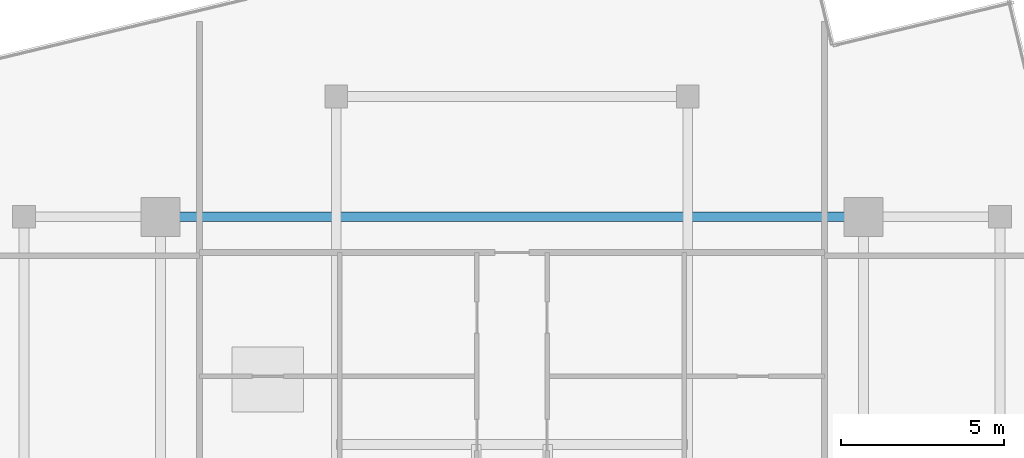
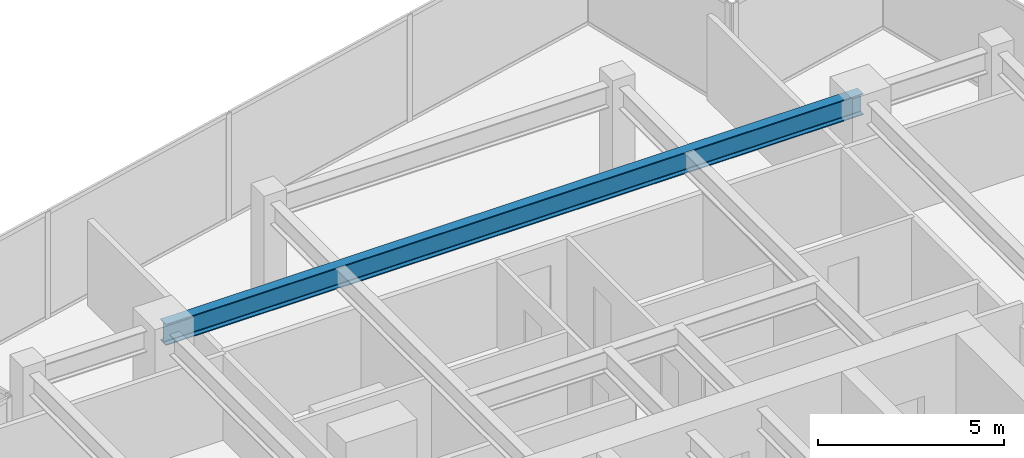
# One storey, part 13 of 19: 1 beam.
"""IFC4 building model written with IfcOpenShell, lengths in metres."""

from ifc_helpers import new_model, si_unit, direction, frame, origin, origin_2d, place, context, subcontext, project, spatial, i_section, extrude, source, transform, mapped, material, material_profile, profile_set, type_object, type_shapes, element, save


model = new_model("IFC4")

# Units and contexts
model_context = context("Model", 3, precision=1e-05, world=origin(), true_north=direction((0.0, 1.0)))
body_context = subcontext(model_context, "Body", "Model", "MODEL_VIEW")
ifc_project = project(units=[si_unit("LENGTHUNIT", "METRE"), si_unit("AREAUNIT", "SQUARE_METRE"), si_unit("VOLUMEUNIT", "CUBIC_METRE"), si_unit("PLANEANGLEUNIT", "RADIAN"), si_unit("MASSUNIT", "GRAM", prefix="KILO")], contexts=[model_context])

# Site, building, storey
site_placement = place(None, origin())
site = spatial("IfcSite", under=ifc_project, at=site_placement, CompositionType="ELEMENT")
building_placement = place(site_placement, origin())
building = spatial("IfcBuilding", under=site, at=building_placement, Name="Krantzveldt Concourse Tower", CompositionType="ELEMENT")
storey_placement = place(building_placement, frame((0.0, 0.0, 363.25)))
storey = spatial("IfcBuildingStorey", under=building, at=storey_placement, Name="L89", CompositionType="ELEMENT", Elevation=363.25)

# Beam
ifc_material = material(Name="Steel S355J2", Category="steel")
ifc_material_profile = material_profile(ifc_material, i_section(OverallWidth=0.300048828125, OverallDepth=0.699951171875, WebThickness=0.01708984375, FlangeThickness=0.031982421875, FilletRadius=0.027099609375, at=origin_2d()), Name="Steel S355J2", Category="steel")
ifc_profile_set = profile_set([ifc_material_profile], Name="Steel S355J2 - HEB 700")
beam_type = type_object("IfcBeamType", Name="BM-B-HEB700", PredefinedType="BEAM", material=ifc_profile_set)
shared_shape = source(origin(), body_context, "Body", "SweptSolid", [
    extrude(i_section(OverallWidth=0.300048828125, OverallDepth=0.699951171875, WebThickness=0.01708984375, FlangeThickness=0.031982421875, FilletRadius=0.027099609375, at=origin_2d()), origin(), (0.0, 0.0, 1.0), 21.60009765625),
])
type_shapes(beam_type, [shared_shape])
beam_placement = place(storey_placement, frame((25.199951171875, 37.5, 3.14990234375), z_axis=(1.0, 0.0, 0.0), x_axis=(0.0, 1.0, 0.0)))
element("IfcBeam", 1, at=beam_placement, inside=storey, type_object=beam_type, Name="L89 Crown Girder CBG-89-MN", PredefinedType="BEAM", context=body_context, shape_type="MappedRepresentation", body=[
    mapped(shared_shape, transform((0.0, 0.0, 0.0), x_axis=(1.0, 0.0, 0.0), y_axis=(0.0, 1.0, 0.0), z_axis=(0.0, 0.0, 1.0), scale=1.0)),
])

save(model, "model.ifc")
